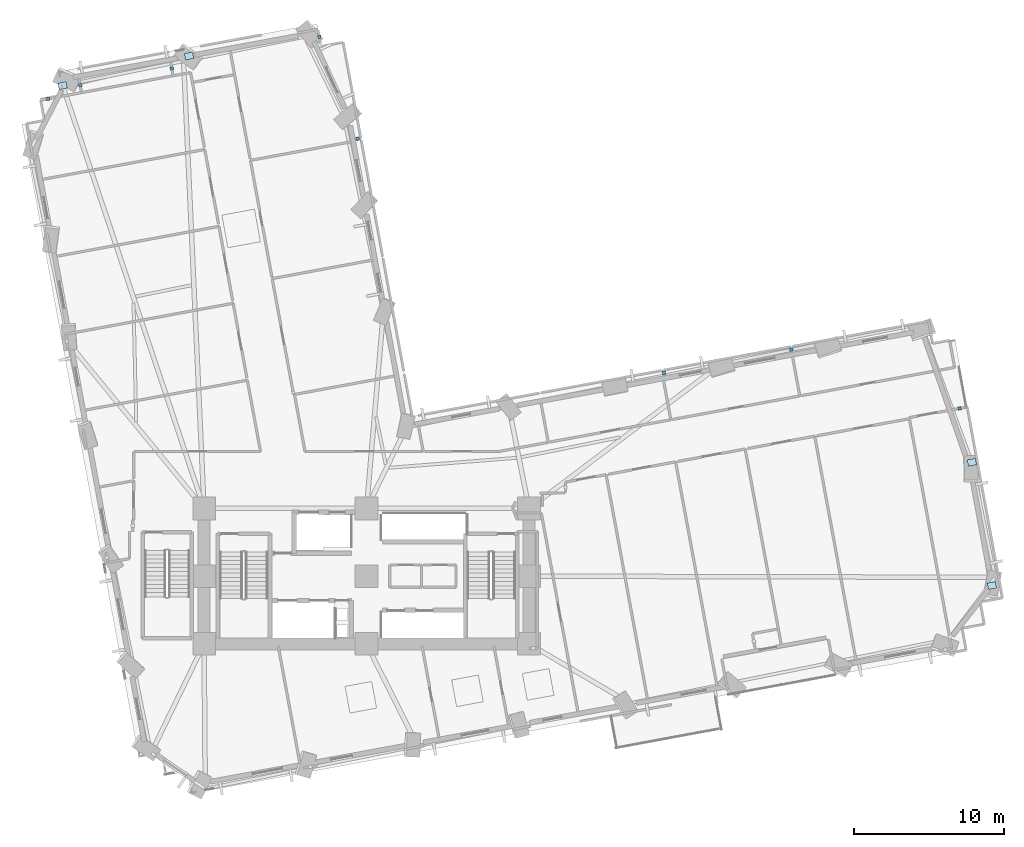
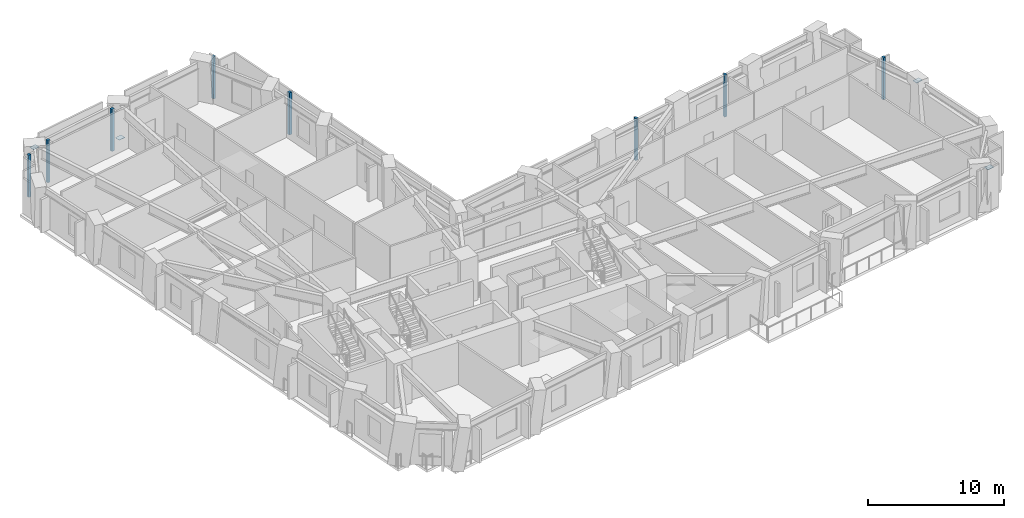
# One storey, part 6 of 16: 12 plates.
"""IFC4 building model written with IfcOpenShell, lengths in metres."""

from ifc_helpers import new_model, si_unit, direction, frame, origin, origin_2d, place, context, subcontext, project, spatial, rectangle, extrude, material, layer, layer_set, type_object, element, save


model = new_model("IFC4")

# Units and contexts
model_context = context("Model", 3, precision=1e-05, world=origin(), true_north=direction((0.0, 1.0)))
body_context = subcontext(model_context, "Body", "Model", "MODEL_VIEW")
ifc_project = project(units=[si_unit("LENGTHUNIT", "METRE"), si_unit("AREAUNIT", "SQUARE_METRE"), si_unit("VOLUMEUNIT", "CUBIC_METRE"), si_unit("PLANEANGLEUNIT", "RADIAN"), si_unit("MASSUNIT", "GRAM", prefix="KILO")], contexts=[model_context])

# Site, building, storey
site_placement = place(None, origin())
site = spatial("IfcSite", under=ifc_project, at=site_placement, CompositionType="ELEMENT")
building_placement = place(site_placement, origin())
building = spatial("IfcBuilding", under=site, at=building_placement, Name="Gaonmaruhae Medical Tower", CompositionType="ELEMENT")
storey_placement = place(building_placement, frame((0.0, 0.0, 67.0)))
storey = spatial("IfcBuildingStorey", under=building, at=storey_placement, Name="L15", CompositionType="ELEMENT", Elevation=67.0)

# Plates
ifc_material_1 = material(Name="Steel HSA650 (650 MPa)", Category="steel")
ifc_layer_1 = layer(ifc_material_1, 0.028076171875)
ifc_layer_set_1 = layer_set([ifc_layer_1], Name="Steel HSA650 (650 MPa)")
plate_type_1 = type_object("IfcPlateType", Name="GP-02 Tube Brace End Cap Gusset Plate", PredefinedType="USERDEFINED", material=ifc_layer_set_1)
for number, where, z_axis, x_axis, name in (
    (1, (66.373779296875, 11.6767578125, 0.23583984375), (0.0, 0.0, 1.0), (0.983413563645, 0.181377404435, 0.0), "L15 Gusset Cap Plate PLT-L15-PBR-E01A"),
    (2, (65.045166015625, 19.8681640625, 3.51611328125), (0.0, 0.0, 1.0), (0.980271174622, 0.197657340379, 0.0), "L15 Gusset Cap Plate PLT-L15-PBR-E01B"),
    (3, (13.00341796875, 46.88037109375, 0.23583984375), (0.0, 0.0, 1.0), (0.983413563645, 0.181377404435, 0.0), "L15 Gusset Cap Plate PLT-L15-PBR-N02A"),
    (4, (4.60205078125, 44.915283203125, 3.51611328125), (0.0, 0.0, 1.0), (0.980271174622, 0.197657340379, 0.0), "L15 Gusset Cap Plate PLT-L15-PBR-N02B"),
):
    element("IfcPlate", number, at=place(storey_placement, frame(where, z_axis=z_axis, x_axis=x_axis)), inside=storey, type_object=plate_type_1, Name=name, ObjectType="GUSSET_PLATE", PredefinedType="USERDEFINED", context=body_context, shape_type="SweptSolid", body=[
        extrude(rectangle(XDim=0.56005859375, YDim=0.43994140625, at=origin_2d()), origin(), (0.0, 0.0, 1.0), 0.028076171875),
    ])
ifc_material_2 = material(Name="Anodised aluminium 6063-T6", Category="aluminium")
ifc_layer_2 = layer(ifc_material_2, 0.011962890625)
ifc_layer_set_2 = layer_set([ifc_layer_2], Name="Anodised aluminium 6063-T6")
plate_type_2 = type_object("IfcPlateType", Name="PP-01 Interior Partition Corner Stiffener Plate", PredefinedType="SHEET", material=ifc_layer_set_2)
for number, where, z_axis, x_axis, name in (
    (5, (3.62548828125, 44.032470703125, 0.0), (0.0, 0.0, 1.0), (0.983476816388, 0.1810341173, 0.0), "L15 Partition Corner Stiffener Plate PLT-L15-JGP-PW062"),
    (6, (44.576416015625, 25.800048828125, 0.0), (0.0, 0.0, 1.0), (-0.180793803178, 0.983521022008, 0.0), "L15 Partition Corner Stiffener Plate PLT-L15-JGP-PW081"),
    (7, (53.033447265625, 27.360107421875, 0.0), (0.0, 0.0, 1.0), (0.180793803178, -0.983521022008, 0.0), "L15 Partition Corner Stiffener Plate PLT-L15-JGP-PW083"),
    (8, (24.20556640625, 41.3759765625, 0.0), (0.0, 0.0, 1.0), (-0.983517866411, -0.18081096883, 0.0), "L15 Partition Corner Stiffener Plate PLT-L15-JGP-PW098"),
    (9, (21.66650390625, 48.154052734375, 0.0), (0.0, 0.0, 1.0), (0.182046750744, -0.983289876152, 0.0), "L15 Partition Corner Stiffener Plate PLT-L15-JGP-PW101"),
    (10, (11.85498046875, 46.051025390625, 0.0), (0.0, 0.0, 1.0), (0.181857969286, -0.983324808498, 0.0), "L15 Partition Corner Stiffener Plate PLT-L15-JGP-PW104"),
    (11, (5.767578125, 44.928466796875, 0.0), (0.0, 0.0, 1.0), (-0.1810341173, 0.983476816388, 0.0), "L15 Partition Corner Stiffener Plate PLT-L15-JGP-PW105"),
    (12, (64.223388671875, 23.451904296875, 0.0), (0.0, 0.0, 1.0), (0.983413563645, 0.181377404435, 0.0), "L15 Partition Corner Stiffener Plate PLT-L15-JGP-PW114"),
):
    element("IfcPlate", number, at=place(storey_placement, frame(where, z_axis=z_axis, x_axis=x_axis)), inside=storey, type_object=plate_type_2, Name=name, PredefinedType="SHEET", context=body_context, shape_type="SweptSolid", body=[
        extrude(rectangle(XDim=0.219970703125, YDim=0.219970703125, at=origin_2d()), origin(), (0.0, 0.0, 1.0), 3.780029296875),
    ])

save(model, "model.ifc")
